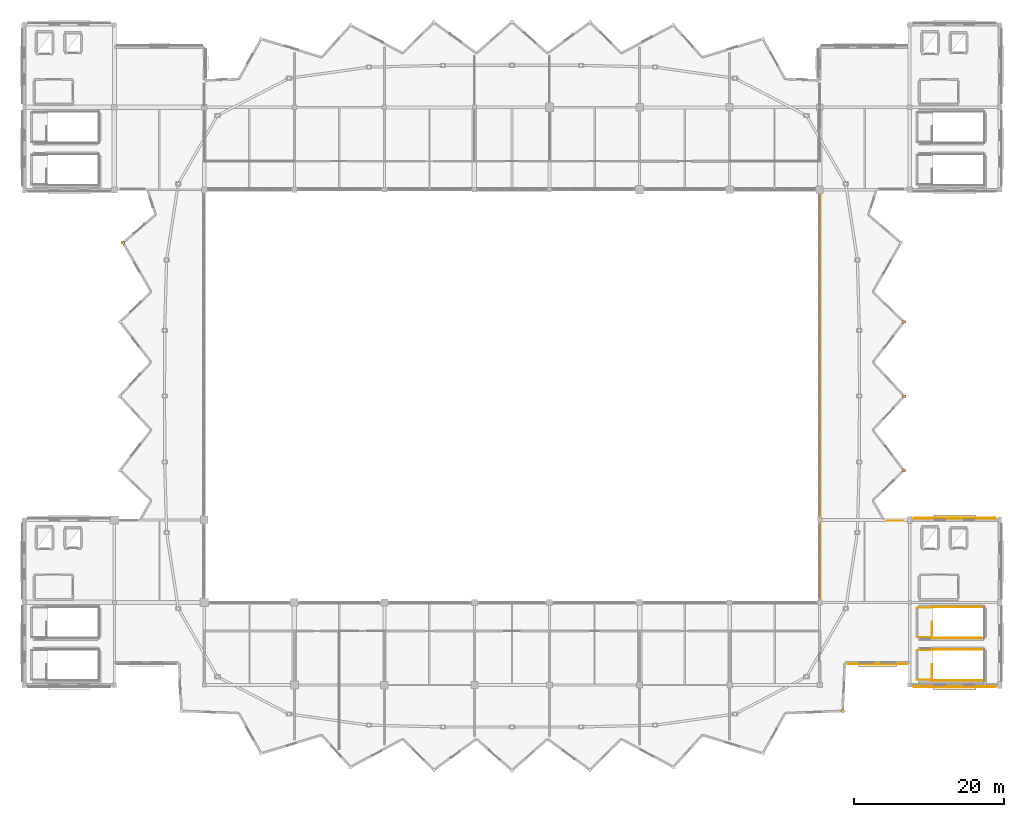
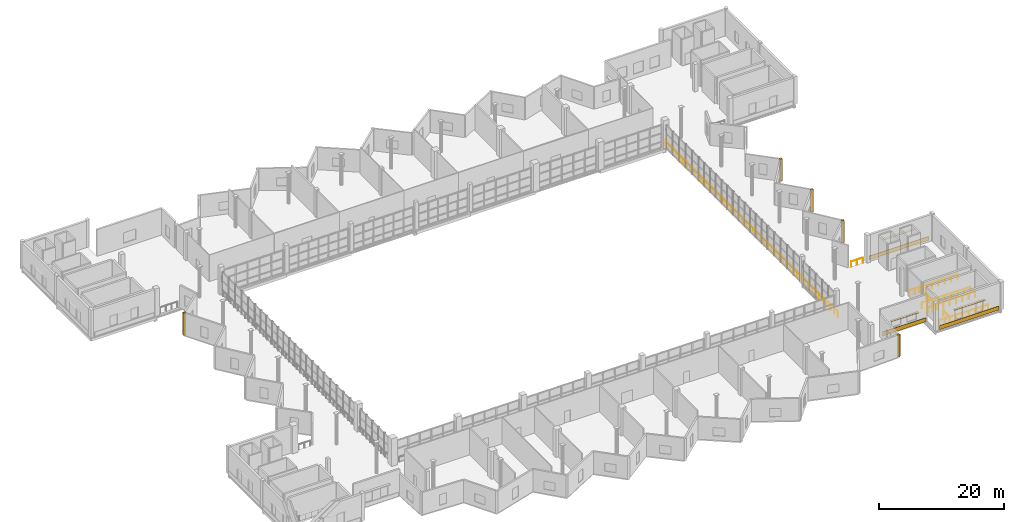
# One storey, part 47 of 49: 12 railings, 11 coverings.
"""IFC4 building model written with IfcOpenShell, lengths in metres."""

from ifc_helpers import new_model, si_unit, direction, frame, origin, origin_2d, place, context, subcontext, project, spatial, rectangle, circle, extrude, material, layer, layer_set, type_object, element, save


model = new_model("IFC4")

# Units and contexts
model_context = context("Model", 3, precision=1e-05, world=origin(), true_north=direction((0.0, 1.0)))
body_context = subcontext(model_context, "Body", "Model", "MODEL_VIEW")
ifc_project = project(units=[si_unit("LENGTHUNIT", "METRE"), si_unit("AREAUNIT", "SQUARE_METRE"), si_unit("VOLUMEUNIT", "CUBIC_METRE"), si_unit("PLANEANGLEUNIT", "RADIAN"), si_unit("MASSUNIT", "GRAM", prefix="KILO")], contexts=[model_context])

# Site, building, storey
site_placement = place(None, origin())
site = spatial("IfcSite", under=ifc_project, at=site_placement, CompositionType="ELEMENT")
building_placement = place(site_placement, origin())
building = spatial("IfcBuilding", under=site, at=building_placement, Name="Luwafu Chhajja Arena", CompositionType="ELEMENT")
storey_placement = place(building_placement, frame((0.0, 0.0, 24.300048828125)))
storey = spatial("IfcBuildingStorey", under=building, at=storey_placement, Name="L05", CompositionType="ELEMENT", Elevation=24.300048828125)

# Coverings
ifc_material_1 = material(Name="Red laterite sandstone cladding", Category="masonry")
ifc_layer = layer(ifc_material_1, 0.074951171875, Name="Red laterite sandstone cladding")
ifc_layer_set = layer_set([ifc_layer], Name="Red laterite sandstone cladding")
covering_type = type_object("IfcCoveringType", Name="Dressed Red-Laterite Sandstone Cladding", PredefinedType="CLADDING", material=ifc_layer_set)
for number, where, z_axis, x_axis, name in (
    (1, (151.300048828125, 49.5, 0.0), (0.0, 0.0, 1.0), (1.0, 0.0, 0.0), "L05 Pleated Bowl Sandstone Ridge Fin 01"),
    (2, (151.249755859375, 59.396240234375, 0.0), (0.0, 0.0, 1.0), (0.982532090849, 0.186093230539, 0.0), "L05 Pleated Bowl Sandstone Ridge Fin 02"),
    (3, (47.13720703125, 69.955322265625, 0.0), (0.0, 0.0, 1.0), (-0.930258694901, 0.366904293461, 0.0), "L05 Pleated Bowl Sandstone Ridge Fin 15"),
    (4, (143.08349609375, 7.52392578125, 0.0), (0.0, 0.0, 1.0), (0.724206686844, -0.689582971607, 0.0), "L05 Pleated Bowl Sandstone Ridge Fin 29"),
    (5, (151.249755859375, 39.603759765625, 0.0), (0.0, 0.0, 1.0), (0.982532090849, -0.186093230539, 0.0), "L05 Pleated Bowl Sandstone Ridge Fin 32"),
):
    element("IfcCovering", number, at=place(storey_placement, frame(where, z_axis=z_axis, x_axis=x_axis)), inside=storey, type_object=covering_type, Name=name, PredefinedType="CLADDING", context=body_context, shape_type="SweptSolid", body=[
        extrude(rectangle(XDim=0.4599609375, YDim=0.360107421875, at=origin_2d()), origin(), (0.0, 0.0, 1.0), 4.340087890625),
    ])
covering_1_placement = place(storey_placement, frame((147.712890625, 13.80810546875, 0.0), z_axis=(0.0, 0.0, 1.0), x_axis=(1.0, 0.0, 0.0)))
element("IfcCovering", 6, at=covering_1_placement, inside=storey, type_object=covering_type, Name="L05 Red-Laterite Sandstone Plinth Cladding 137", PredefinedType="CLADDING", context=body_context, shape_type="SweptSolid", body=[
    extrude(rectangle(XDim=7.97412109375, YDim=0.0849609375, at=origin_2d()), origin(), (0.0, 0.0, 1.0), 0.760009765625),
])
covering_2_placement = place(storey_placement, frame((147.712890625, 13.679931640625, 2.330078125), z_axis=(0.0, 0.0, 1.0), x_axis=(1.0, 0.0, 0.0)))
element("IfcCovering", 7, at=covering_2_placement, inside=storey, type_object=covering_type, Name="L05 Mughal Sandstone Window Chhajja Hood 0129", PredefinedType="CLADDING", context=body_context, shape_type="SweptSolid", body=[
    extrude(rectangle(XDim=5.05810546875, YDim=0.419921875, at=origin_2d()), origin(), (0.0, 0.0, 1.0), 0.139892578125),
])
covering_3_placement = place(storey_placement, frame((158.0, 10.76806640625, 0.0), z_axis=(0.0, 0.0, 1.0), x_axis=(1.0, 0.0, 0.0)))
element("IfcCovering", 8, at=covering_3_placement, inside=storey, type_object=covering_type, Name="L05 Red-Laterite Sandstone Plinth Cladding 140", PredefinedType="CLADDING", context=body_context, shape_type="SweptSolid", body=[
    extrude(rectangle(XDim=10.9599609375, YDim=0.0849609375, at=origin_2d()), origin(), (0.0, 0.0, 1.0), 0.760009765625),
])
covering_4_placement = place(storey_placement, frame((158.0, 10.639892578125, 2.93017578125), z_axis=(0.0, 0.0, 1.0), x_axis=(1.0, 0.0, 0.0)))
element("IfcCovering", 9, at=covering_4_placement, inside=storey, type_object=covering_type, Name="L05 Mughal Sandstone Window Chhajja Hood 0132", PredefinedType="CLADDING", context=body_context, shape_type="SweptSolid", body=[
    extrude(rectangle(XDim=5.703369140625, YDim=0.419921875, at=origin_2d()), origin(), (0.0, 0.0, 1.0), 0.139892578125),
])
covering_5_placement = place(storey_placement, frame((158.0, 33.23193359375, 0.0), z_axis=(0.0, 0.0, 1.0), x_axis=(1.0, 0.0, 0.0)))
element("IfcCovering", 10, at=covering_5_placement, inside=storey, type_object=covering_type, Name="L05 Red-Laterite Sandstone Plinth Cladding 142", PredefinedType="CLADDING", context=body_context, shape_type="SweptSolid", body=[
    extrude(rectangle(XDim=10.9599609375, YDim=0.0849609375, at=origin_2d()), origin(), (0.0, 0.0, 1.0), 0.760009765625),
])
covering_6_placement = place(storey_placement, frame((158.0, 33.360107421875, 2.93017578125), z_axis=(0.0, 0.0, 1.0), x_axis=(1.0, 0.0, 0.0)))
element("IfcCovering", 11, at=covering_6_placement, inside=storey, type_object=covering_type, Name="L05 Mughal Sandstone Window Chhajja Hood 0134", PredefinedType="CLADDING", context=body_context, shape_type="SweptSolid", body=[
    extrude(rectangle(XDim=5.703369140625, YDim=0.419921875, at=origin_2d()), origin(), (0.0, 0.0, 1.0), 0.139892578125),
])

# Railings
ifc_material_2 = material(Name="Stainless steel balustrade", Category="steel")
railing_type_1 = type_object("IfcRailingType", Name="Seating Bowl Sightline Barrier 1100", PredefinedType="BALUSTRADE", material=ifc_material_2)
railing_1_placement = place(storey_placement, frame((140.14990234375, 21.85009765625, 0.0)))
element("IfcRailing", 12, at=railing_1_placement, inside=storey, type_object=railing_type_1, Name="L05 Bowl Rim Guard 0045", PredefinedType="BALUSTRADE", context=body_context, shape_type="SweptSolid", body=[
    extrude(circle(Radius=0.02392578125, at=origin_2d()), frame((0.0, 0.0, 1.09619140625), z_axis=(0.0, 1.0, 0.0), x_axis=(-1.0, 0.0, 0.0)), (0.0, 0.0, 1.0), 55.2998046875),
    extrude(circle(Radius=0.02099609375, at=origin_2d()), origin(), (0.0, 0.0, 1.0), 1.072021484375),
    extrude(circle(Radius=0.02099609375, at=origin_2d()), frame((0.0, 1.176513671875, 0.0)), (0.0, 0.0, 1.0), 1.072021484375),
    extrude(circle(Radius=0.02099609375, at=origin_2d()), frame((0.0, 2.353271484375, 0.0)), (0.0, 0.0, 1.0), 1.072021484375),
    extrude(circle(Radius=0.02099609375, at=origin_2d()), frame((0.0, 3.52978515625, 0.0)), (0.0, 0.0, 1.0), 1.072021484375),
    extrude(circle(Radius=0.02099609375, at=origin_2d()), frame((0.0, 4.706298828125, 0.0)), (0.0, 0.0, 1.0), 1.072021484375),
    extrude(circle(Radius=0.02099609375, at=origin_2d()), frame((0.0, 5.883056640625, 0.0)), (0.0, 0.0, 1.0), 1.072021484375),
    extrude(circle(Radius=0.02099609375, at=origin_2d()), frame((0.0, 7.0595703125, 0.0)), (0.0, 0.0, 1.0), 1.072021484375),
    extrude(circle(Radius=0.02099609375, at=origin_2d()), frame((0.0, 8.236083984375, 0.0)), (0.0, 0.0, 1.0), 1.072021484375),
    extrude(circle(Radius=0.02099609375, at=origin_2d()), frame((0.0, 9.412841796875, 0.0)), (0.0, 0.0, 1.0), 1.072021484375),
    extrude(circle(Radius=0.02099609375, at=origin_2d()), frame((0.0, 10.58935546875, 0.0)), (0.0, 0.0, 1.0), 1.072021484375),
    extrude(circle(Radius=0.02099609375, at=origin_2d()), frame((0.0, 11.765869140625, 0.0)), (0.0, 0.0, 1.0), 1.072021484375),
    extrude(circle(Radius=0.02099609375, at=origin_2d()), frame((0.0, 12.942626953125, 0.0)), (0.0, 0.0, 1.0), 1.072021484375),
    extrude(circle(Radius=0.02099609375, at=origin_2d()), frame((0.0, 14.119140625, 0.0)), (0.0, 0.0, 1.0), 1.072021484375),
    extrude(circle(Radius=0.02099609375, at=origin_2d()), frame((0.0, 15.295654296875, 0.0)), (0.0, 0.0, 1.0), 1.072021484375),
    extrude(circle(Radius=0.02099609375, at=origin_2d()), frame((0.0, 16.47216796875, 0.0)), (0.0, 0.0, 1.0), 1.072021484375),
    extrude(circle(Radius=0.02099609375, at=origin_2d()), frame((0.0, 17.64892578125, 0.0)), (0.0, 0.0, 1.0), 1.072021484375),
    extrude(circle(Radius=0.02099609375, at=origin_2d()), frame((0.0, 18.825439453125, 0.0)), (0.0, 0.0, 1.0), 1.072021484375),
    extrude(circle(Radius=0.02099609375, at=origin_2d()), frame((0.0, 20.001953125, 0.0)), (0.0, 0.0, 1.0), 1.072021484375),
    extrude(circle(Radius=0.02099609375, at=origin_2d()), frame((0.0, 21.1787109375, 0.0)), (0.0, 0.0, 1.0), 1.072021484375),
    extrude(circle(Radius=0.02099609375, at=origin_2d()), frame((0.0, 22.355224609375, 0.0)), (0.0, 0.0, 1.0), 1.072021484375),
    extrude(circle(Radius=0.02099609375, at=origin_2d()), frame((0.0, 23.53173828125, 0.0)), (0.0, 0.0, 1.0), 1.072021484375),
    extrude(circle(Radius=0.02099609375, at=origin_2d()), frame((0.0, 24.70849609375, 0.0)), (0.0, 0.0, 1.0), 1.072021484375),
    extrude(circle(Radius=0.02099609375, at=origin_2d()), frame((0.0, 25.885009765625, 0.0)), (0.0, 0.0, 1.0), 1.072021484375),
    extrude(circle(Radius=0.02099609375, at=origin_2d()), frame((0.0, 27.0615234375, 0.0)), (0.0, 0.0, 1.0), 1.072021484375),
    extrude(circle(Radius=0.02099609375, at=origin_2d()), frame((0.0, 28.23828125, 0.0)), (0.0, 0.0, 1.0), 1.072021484375),
    extrude(circle(Radius=0.02099609375, at=origin_2d()), frame((0.0, 29.414794921875, 0.0)), (0.0, 0.0, 1.0), 1.072021484375),
    extrude(circle(Radius=0.02099609375, at=origin_2d()), frame((0.0, 30.59130859375, 0.0)), (0.0, 0.0, 1.0), 1.072021484375),
    extrude(circle(Radius=0.02099609375, at=origin_2d()), frame((0.0, 31.76806640625, 0.0)), (0.0, 0.0, 1.0), 1.072021484375),
    extrude(circle(Radius=0.02099609375, at=origin_2d()), frame((0.0, 32.944580078125, 0.0)), (0.0, 0.0, 1.0), 1.072021484375),
    extrude(circle(Radius=0.02099609375, at=origin_2d()), frame((0.0, 34.12109375, 0.0)), (0.0, 0.0, 1.0), 1.072021484375),
    extrude(circle(Radius=0.02099609375, at=origin_2d()), frame((0.0, 35.2978515625, 0.0)), (0.0, 0.0, 1.0), 1.072021484375),
    extrude(circle(Radius=0.02099609375, at=origin_2d()), frame((0.0, 36.474365234375, 0.0)), (0.0, 0.0, 1.0), 1.072021484375),
    extrude(circle(Radius=0.02099609375, at=origin_2d()), frame((0.0, 37.65087890625, 0.0)), (0.0, 0.0, 1.0), 1.072021484375),
    extrude(circle(Radius=0.02099609375, at=origin_2d()), frame((0.0, 38.82763671875, 0.0)), (0.0, 0.0, 1.0), 1.072021484375),
    extrude(circle(Radius=0.02099609375, at=origin_2d()), frame((0.0, 40.004150390625, 0.0)), (0.0, 0.0, 1.0), 1.072021484375),
    extrude(circle(Radius=0.02099609375, at=origin_2d()), frame((0.0, 41.1806640625, 0.0)), (0.0, 0.0, 1.0), 1.072021484375),
    extrude(circle(Radius=0.02099609375, at=origin_2d()), frame((0.0, 42.357177734375, 0.0)), (0.0, 0.0, 1.0), 1.072021484375),
    extrude(circle(Radius=0.02099609375, at=origin_2d()), frame((0.0, 43.533935546875, 0.0)), (0.0, 0.0, 1.0), 1.072021484375),
    extrude(circle(Radius=0.02099609375, at=origin_2d()), frame((0.0, 44.71044921875, 0.0)), (0.0, 0.0, 1.0), 1.072021484375),
    extrude(circle(Radius=0.02099609375, at=origin_2d()), frame((0.0, 45.886962890625, 0.0)), (0.0, 0.0, 1.0), 1.072021484375),
    extrude(circle(Radius=0.02099609375, at=origin_2d()), frame((0.0, 47.063720703125, 0.0)), (0.0, 0.0, 1.0), 1.072021484375),
    extrude(circle(Radius=0.02099609375, at=origin_2d()), frame((0.0, 48.240234375, 0.0)), (0.0, 0.0, 1.0), 1.072021484375),
    extrude(circle(Radius=0.02099609375, at=origin_2d()), frame((0.0, 49.416748046875, 0.0)), (0.0, 0.0, 1.0), 1.072021484375),
    extrude(circle(Radius=0.02099609375, at=origin_2d()), frame((0.0, 50.593505859375, 0.0)), (0.0, 0.0, 1.0), 1.072021484375),
    extrude(circle(Radius=0.02099609375, at=origin_2d()), frame((0.0, 51.77001953125, 0.0)), (0.0, 0.0, 1.0), 1.072021484375),
    extrude(circle(Radius=0.02099609375, at=origin_2d()), frame((0.0, 52.946533203125, 0.0)), (0.0, 0.0, 1.0), 1.072021484375),
    extrude(circle(Radius=0.02099609375, at=origin_2d()), frame((0.0, 54.123291015625, 0.0)), (0.0, 0.0, 1.0), 1.072021484375),
    extrude(circle(Radius=0.02099609375, at=origin_2d()), frame((0.0, 55.2998046875, 0.0)), (0.0, 0.0, 1.0), 1.072021484375),
])
railing_type_2 = type_object("IfcRailingType", Name="Stair and Terrace Guard Balustrade 1100", PredefinedType="BALUSTRADE", material=ifc_material_2)
railing_2_placement = place(storey_placement, frame((154.969970703125, 11.64990234375, 0.0)))
element("IfcRailing", 13, at=railing_2_placement, inside=storey, type_object=railing_type_2, Name="L05 ST-03 top well guard 1", PredefinedType="BALUSTRADE", context=body_context, shape_type="SweptSolid", body=[
    extrude(circle(Radius=0.02392578125, at=origin_2d()), frame((0.0, 0.0, 1.076171875), z_axis=(0.0, 1.0, 0.0), x_axis=(-1.0, 0.0, 0.0)), (0.0, 0.0, 1.0), 2.1201171875),
    extrude(circle(Radius=0.02099609375, at=origin_2d()), origin(), (0.0, 0.0, 1.0), 1.052001953125),
    extrude(circle(Radius=0.02099609375, at=origin_2d()), frame((0.0, 1.06005859375, 0.0)), (0.0, 0.0, 1.0), 1.052001953125),
    extrude(circle(Radius=0.02099609375, at=origin_2d()), frame((0.0, 2.1201171875, 0.0)), (0.0, 0.0, 1.0), 1.052001953125),
])
for number, where, name in (
    (14, (154.919921875, 11.60009765625, 0.0), "L05 ST-03 top well guard 2"),
    (15, (154.919921875, 15.739990234375, 0.0), "L05 ST-03 top well guard 3"),
):
    element("IfcRailing", number, at=place(storey_placement, frame(where)), inside=storey, type_object=railing_type_2, Name=name, PredefinedType="BALUSTRADE", context=body_context, shape_type="SweptSolid", body=[
        extrude(circle(Radius=0.02392578125, at=origin_2d()), frame((0.0, 0.0, 1.076171875), z_axis=(1.0, 0.0, 0.0), x_axis=(0.0, 1.0, 0.0)), (0.0, 0.0, 1.0), 7.080078125),
        extrude(circle(Radius=0.02099609375, at=origin_2d()), origin(), (0.0, 0.0, 1.0), 1.052001953125),
        extrude(circle(Radius=0.02099609375, at=origin_2d()), frame((1.179931640625, 0.0, 0.0)), (0.0, 0.0, 1.0), 1.052001953125),
        extrude(circle(Radius=0.02099609375, at=origin_2d()), frame((2.360107421875, 0.0, 0.0)), (0.0, 0.0, 1.0), 1.052001953125),
        extrude(circle(Radius=0.02099609375, at=origin_2d()), frame((3.5400390625, 0.0, 0.0)), (0.0, 0.0, 1.0), 1.052001953125),
        extrude(circle(Radius=0.02099609375, at=origin_2d()), frame((4.719970703125, 0.0, 0.0)), (0.0, 0.0, 1.0), 1.052001953125),
        extrude(circle(Radius=0.02099609375, at=origin_2d()), frame((5.900146484375, 0.0, 0.0)), (0.0, 0.0, 1.0), 1.052001953125),
        extrude(circle(Radius=0.02099609375, at=origin_2d()), frame((7.080078125, 0.0, 0.0)), (0.0, 0.0, 1.0), 1.052001953125),
    ])
for number, where, name in (
    (16, (153.10009765625, 11.699951171875, 0.0), "L05 ST-03 top well guard 5"),
    (17, (153.10009765625, 15.639892578125, 0.0), "L05 ST-03 top well guard 6"),
):
    element("IfcRailing", number, at=place(storey_placement, frame(where)), inside=storey, type_object=railing_type_2, Name=name, PredefinedType="BALUSTRADE", context=body_context, shape_type="SweptSolid", body=[
        extrude(circle(Radius=0.02392578125, at=origin_2d()), frame((0.0, 0.0, 1.076171875), z_axis=(1.0, 0.0, 0.0), x_axis=(0.0, 1.0, 0.0)), (0.0, 0.0, 1.0), 1.919921875),
        extrude(circle(Radius=0.02099609375, at=origin_2d()), origin(), (0.0, 0.0, 1.0), 1.052001953125),
        extrude(circle(Radius=0.02099609375, at=origin_2d()), frame((0.9599609375, 0.0, 0.0)), (0.0, 0.0, 1.0), 1.052001953125),
        extrude(circle(Radius=0.02099609375, at=origin_2d()), frame((1.919921875, 0.0, 0.0)), (0.0, 0.0, 1.0), 1.052001953125),
    ])
railing_3_placement = place(storey_placement, frame((154.969970703125, 17.31005859375, 0.0)))
element("IfcRailing", 18, at=railing_3_placement, inside=storey, type_object=railing_type_2, Name="L05 ST-04 top well guard 1", PredefinedType="BALUSTRADE", context=body_context, shape_type="SweptSolid", body=[
    extrude(circle(Radius=0.02392578125, at=origin_2d()), frame((0.0, 0.0, 1.076171875), z_axis=(0.0, 1.0, 0.0), x_axis=(-1.0, 0.0, 0.0)), (0.0, 0.0, 1.0), 2.119873046875),
    extrude(circle(Radius=0.02099609375, at=origin_2d()), origin(), (0.0, 0.0, 1.0), 1.052001953125),
    extrude(circle(Radius=0.02099609375, at=origin_2d()), frame((0.0, 1.06005859375, 0.0)), (0.0, 0.0, 1.0), 1.052001953125),
    extrude(circle(Radius=0.02099609375, at=origin_2d()), frame((0.0, 2.119873046875, 0.0)), (0.0, 0.0, 1.0), 1.052001953125),
])
for number, where, name in (
    (19, (154.919921875, 17.260009765625, 0.0), "L05 ST-04 top well guard 2"),
    (20, (154.919921875, 21.39990234375, 0.0), "L05 ST-04 top well guard 3"),
):
    element("IfcRailing", number, at=place(storey_placement, frame(where)), inside=storey, type_object=railing_type_2, Name=name, PredefinedType="BALUSTRADE", context=body_context, shape_type="SweptSolid", body=[
        extrude(circle(Radius=0.02392578125, at=origin_2d()), frame((0.0, 0.0, 1.076171875), z_axis=(1.0, 0.0, 0.0), x_axis=(0.0, 1.0, 0.0)), (0.0, 0.0, 1.0), 7.080078125),
        extrude(circle(Radius=0.02099609375, at=origin_2d()), origin(), (0.0, 0.0, 1.0), 1.052001953125),
        extrude(circle(Radius=0.02099609375, at=origin_2d()), frame((1.179931640625, 0.0, 0.0)), (0.0, 0.0, 1.0), 1.052001953125),
        extrude(circle(Radius=0.02099609375, at=origin_2d()), frame((2.360107421875, 0.0, 0.0)), (0.0, 0.0, 1.0), 1.052001953125),
        extrude(circle(Radius=0.02099609375, at=origin_2d()), frame((3.5400390625, 0.0, 0.0)), (0.0, 0.0, 1.0), 1.052001953125),
        extrude(circle(Radius=0.02099609375, at=origin_2d()), frame((4.719970703125, 0.0, 0.0)), (0.0, 0.0, 1.0), 1.052001953125),
        extrude(circle(Radius=0.02099609375, at=origin_2d()), frame((5.900146484375, 0.0, 0.0)), (0.0, 0.0, 1.0), 1.052001953125),
        extrude(circle(Radius=0.02099609375, at=origin_2d()), frame((7.080078125, 0.0, 0.0)), (0.0, 0.0, 1.0), 1.052001953125),
    ])
for number, where, name in (
    (21, (153.10009765625, 17.360107421875, 0.0), "L05 ST-04 top well guard 5"),
    (22, (153.10009765625, 21.300048828125, 0.0), "L05 ST-04 top well guard 6"),
):
    element("IfcRailing", number, at=place(storey_placement, frame(where)), inside=storey, type_object=railing_type_2, Name=name, PredefinedType="BALUSTRADE", context=body_context, shape_type="SweptSolid", body=[
        extrude(circle(Radius=0.02392578125, at=origin_2d()), frame((0.0, 0.0, 1.076171875), z_axis=(1.0, 0.0, 0.0), x_axis=(0.0, 1.0, 0.0)), (0.0, 0.0, 1.0), 1.919921875),
        extrude(circle(Radius=0.02099609375, at=origin_2d()), origin(), (0.0, 0.0, 1.0), 1.052001953125),
        extrude(circle(Radius=0.02099609375, at=origin_2d()), frame((0.9599609375, 0.0, 0.0)), (0.0, 0.0, 1.0), 1.052001953125),
        extrude(circle(Radius=0.02099609375, at=origin_2d()), frame((1.919921875, 0.0, 0.0)), (0.0, 0.0, 1.0), 1.052001953125),
    ])
railing_4_placement = place(storey_placement, frame((148.9619140625, 32.89990234375, 0.0)))
element("IfcRailing", 23, at=railing_4_placement, inside=storey, type_object=railing_type_2, Name="L05 Outer Slab Edge Guard 002", PredefinedType="BALUSTRADE", context=body_context, shape_type="SweptSolid", body=[
    extrude(circle(Radius=0.02392578125, at=origin_2d()), frame((0.0, 0.0, 1.09619140625), z_axis=(1.0, 0.0, 0.0), x_axis=(0.0, 1.0, 0.0)), (0.0, 0.0, 1.0), 2.18798828125),
    extrude(circle(Radius=0.02099609375, at=origin_2d()), origin(), (0.0, 0.0, 1.0), 1.072021484375),
    extrude(circle(Radius=0.02099609375, at=origin_2d()), frame((1.093994140625, 0.0, 0.0)), (0.0, 0.0, 1.0), 1.072021484375),
    extrude(circle(Radius=0.02099609375, at=origin_2d()), frame((2.18798828125, 0.0, 0.0)), (0.0, 0.0, 1.0), 1.072021484375),
])

save(model, "model.ifc")
